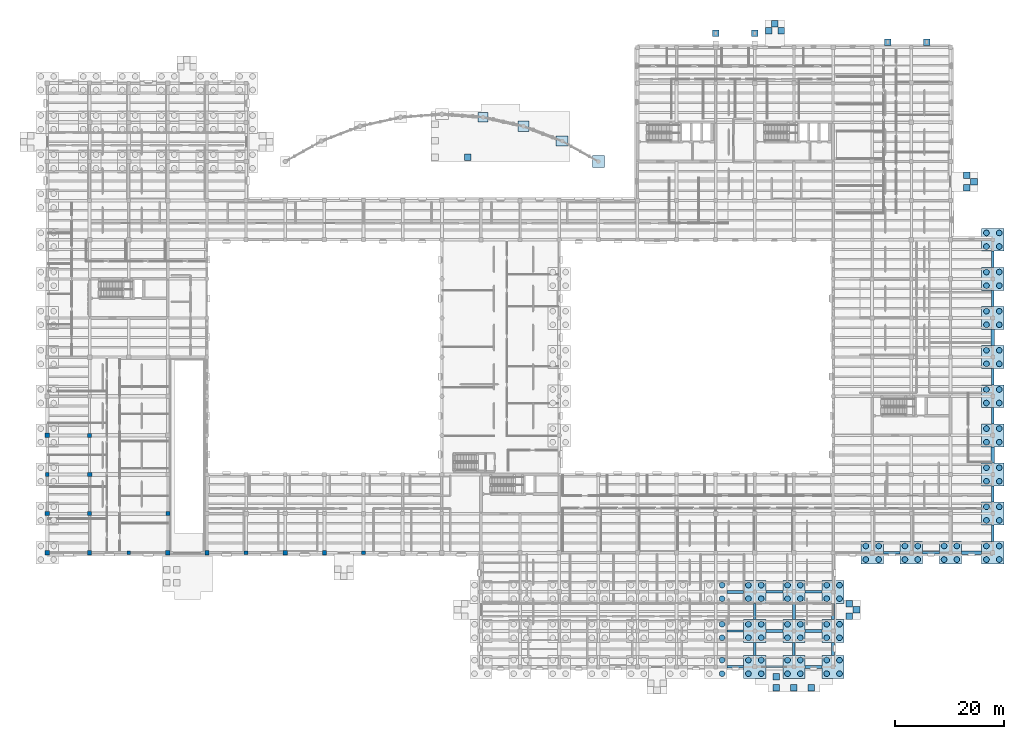
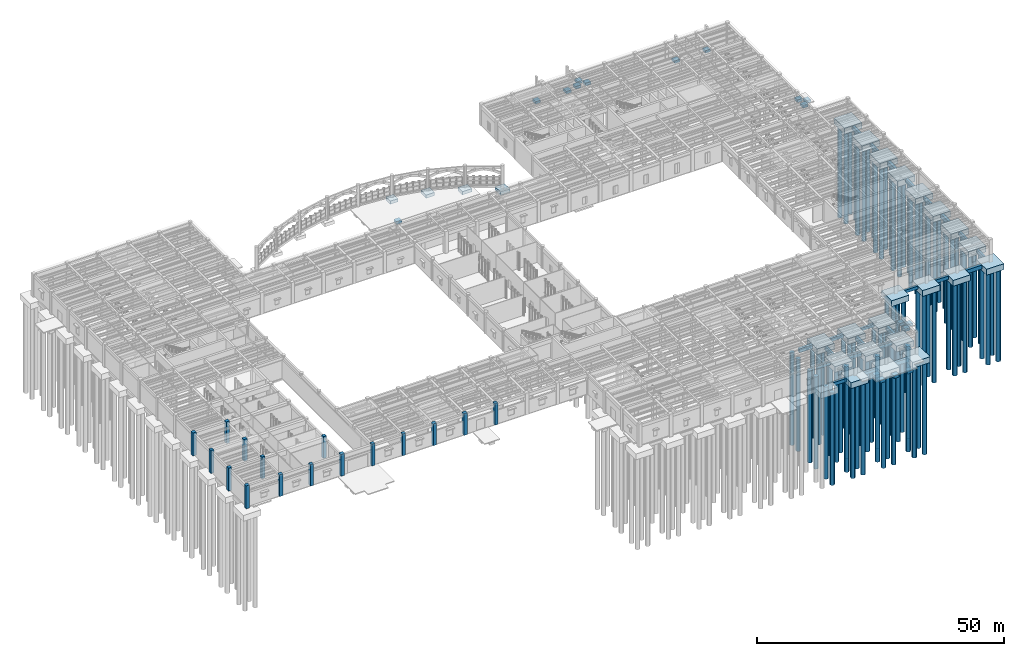
# One storey, part 3 of 100: 90 piles, 69 footings, 16 columns.
"""IFC4 building model written with IfcOpenShell, lengths in metres."""

from ifc_helpers import new_model, si_unit, direction, frame, origin, origin_2d, place, context, subcontext, project, spatial, rectangle, circle, extrude, material, material_profile, profile_set, type_object, element, save


model = new_model("IFC4")

# Units and contexts
model_context = context("Model", 3, precision=1e-05, world=origin(), true_north=direction((0.0, 1.0)))
body_context = subcontext(model_context, "Body", "Model", "MODEL_VIEW")
ifc_project = project(units=[si_unit("LENGTHUNIT", "METRE"), si_unit("AREAUNIT", "SQUARE_METRE"), si_unit("VOLUMEUNIT", "CUBIC_METRE"), si_unit("PLANEANGLEUNIT", "RADIAN"), si_unit("MASSUNIT", "GRAM", prefix="KILO")], contexts=[model_context])

# Site, building, storey
site_placement = place(None, origin())
site = spatial("IfcSite", under=ifc_project, at=site_placement, CompositionType="ELEMENT")
building_placement = place(site_placement, origin())
building = spatial("IfcBuilding", under=site, at=building_placement, Name="Mithqara Police Headquarters", CompositionType="ELEMENT")
storey_placement = place(building_placement, origin())
storey = spatial("IfcBuildingStorey", under=building, at=storey_placement, Name="L00", CompositionType="ELEMENT", Elevation=0.0)

# Footings
ifc_material_1 = material(Name="Concrete C40/50", Category="concrete")
footing_type_1 = type_object("IfcFootingType", Name="GROUND BEAM 450X750", PredefinedType="FOOTING_BEAM", material=ifc_material_1)
for number, where, z_axis, x_axis, name in (
    (1, (126.60009765625, 6.60009765625, -1.070068359375), (0.0, 0.0, 1.0), (1.0, 0.0, 0.0), "L00 Ground Tie Beam 18-19/B"),
    (2, (133.800048828125, 0.0, -1.070068359375), (0.0, 0.0, 1.0), (1.0, 0.0, 0.0), "L00 Ground Tie Beam 19-20/A"),
):
    element("IfcFooting", number, at=place(storey_placement, frame(where, z_axis=z_axis, x_axis=x_axis)), inside=storey, type_object=footing_type_1, Name=name, PredefinedType="FOOTING_BEAM", context=body_context, shape_type="SweptSolid", body=[
        extrude(rectangle(XDim=3.10009765625, YDim=0.449951171875, at=origin_2d()), origin(), (0.0, 0.0, 1.0), 0.75),
    ])
footing_1_placement = place(storey_placement, frame((130.199951171875, 10.199951171875, -1.070068359375), z_axis=(0.0, 0.0, 1.0), x_axis=(1.0, 0.0, 0.0)))
element("IfcFooting", 3, at=footing_1_placement, inside=storey, type_object=footing_type_1, Name="L00 Ground Tie Beam 19/B-C", PredefinedType="FOOTING_BEAM", context=body_context, shape_type="SweptSolid", body=[
    extrude(rectangle(XDim=0.449951171875, YDim=3.0, at=origin_2d()), origin(), (0.0, 0.0, 1.0), 0.75),
])
footing_2_placement = place(storey_placement, frame((137.39990234375, 3.300048828125, -1.070068359375), z_axis=(0.0, 0.0, 1.0), x_axis=(1.0, 0.0, 0.0)))
element("IfcFooting", 4, at=footing_2_placement, inside=storey, type_object=footing_type_1, Name="L00 Ground Tie Beam 20/A-B", PredefinedType="FOOTING_BEAM", context=body_context, shape_type="SweptSolid", body=[
    extrude(rectangle(XDim=0.449951171875, YDim=2.39990234375, at=origin_2d()), origin(), (0.0, 0.0, 1.0), 0.75),
])
for number, where, z_axis, x_axis, name in (
    (5, (141.0, 13.800048828125, -1.070068359375), (0.0, 0.0, 1.0), (1.0, 0.0, 0.0), "L00 Ground Tie Beam 20-21/C"),
    (6, (155.39990234375, 21.0, -1.070068359375), (0.0, 0.0, 1.0), (1.0, 0.0, 0.0), "L00 Ground Tie Beam 22-23/D"),
):
    element("IfcFooting", number, at=place(storey_placement, frame(where, z_axis=z_axis, x_axis=x_axis)), inside=storey, type_object=footing_type_1, Name=name, PredefinedType="FOOTING_BEAM", context=body_context, shape_type="SweptSolid", body=[
        extrude(rectangle(XDim=3.10009765625, YDim=0.449951171875, at=origin_2d()), origin(), (0.0, 0.0, 1.0), 0.75),
    ])
for number, where, z_axis, x_axis, name in (
    (7, (174.0, 24.60009765625, -1.070068359375), (0.0, 0.0, 1.0), (1.0, 0.0, 0.0), "L00 Ground Tie Beam 25/D-E"),
    (8, (174.0, 46.199951171875, -1.070068359375), (0.0, 0.0, 1.0), (1.0, 0.0, 0.0), "L00 Ground Tie Beam 25/G-H"),
    (9, (174.0, 67.800048828125, -1.070068359375), (0.0, 0.0, 1.0), (1.0, 0.0, 0.0), "L00 Ground Tie Beam 25/K-L"),
):
    element("IfcFooting", number, at=place(storey_placement, frame(where, z_axis=z_axis, x_axis=x_axis)), inside=storey, type_object=footing_type_1, Name=name, PredefinedType="FOOTING_BEAM", context=body_context, shape_type="SweptSolid", body=[
        extrude(rectangle(XDim=0.449951171875, YDim=3.0, at=origin_2d()), origin(), (0.0, 0.0, 1.0), 0.75),
    ])
footing_type_2 = type_object("IfcFootingType", Name="GROUND BEAM 500X850", PredefinedType="FOOTING_BEAM", material=ifc_material_1)
footing_3_placement = place(storey_placement, frame((126.60009765625, 0.0, -1.170166015625), z_axis=(0.0, 0.0, 1.0), x_axis=(1.0, 0.0, 0.0)))
element("IfcFooting", 10, at=footing_3_placement, inside=storey, type_object=footing_type_2, Name="L00 Ground Tie Beam 18-19/A", PredefinedType="FOOTING_BEAM", context=body_context, shape_type="SweptSolid", body=[
    extrude(rectangle(XDim=3.10009765625, YDim=0.5, at=origin_2d()), origin(), (0.0, 0.0, 1.0), 0.85009765625),
])
footing_4_placement = place(storey_placement, frame((130.199951171875, 3.300048828125, -1.170166015625), z_axis=(0.0, 0.0, 1.0), x_axis=(1.0, 0.0, 0.0)))
element("IfcFooting", 11, at=footing_4_placement, inside=storey, type_object=footing_type_2, Name="L00 Ground Tie Beam 19/A-B", PredefinedType="FOOTING_BEAM", context=body_context, shape_type="SweptSolid", body=[
    extrude(rectangle(XDim=0.5, YDim=2.39990234375, at=origin_2d()), origin(), (0.0, 0.0, 1.0), 0.85009765625),
])
for number, where, z_axis, x_axis, name in (
    (12, (133.800048828125, 13.800048828125, -1.170166015625), (0.0, 0.0, 1.0), (1.0, 0.0, 0.0), "L00 Ground Tie Beam 19-20/C"),
    (13, (141.0, 6.60009765625, -1.170166015625), (0.0, 0.0, 1.0), (1.0, 0.0, 0.0), "L00 Ground Tie Beam 20-21/B"),
):
    element("IfcFooting", number, at=place(storey_placement, frame(where, z_axis=z_axis, x_axis=x_axis)), inside=storey, type_object=footing_type_2, Name=name, PredefinedType="FOOTING_BEAM", context=body_context, shape_type="SweptSolid", body=[
        extrude(rectangle(XDim=3.10009765625, YDim=0.5, at=origin_2d()), origin(), (0.0, 0.0, 1.0), 0.85009765625),
    ])
footing_5_placement = place(storey_placement, frame((144.60009765625, 3.300048828125, -1.170166015625), z_axis=(0.0, 0.0, 1.0), x_axis=(1.0, 0.0, 0.0)))
element("IfcFooting", 14, at=footing_5_placement, inside=storey, type_object=footing_type_2, Name="L00 Ground Tie Beam 21/A-B", PredefinedType="FOOTING_BEAM", context=body_context, shape_type="SweptSolid", body=[
    extrude(rectangle(XDim=0.5, YDim=2.39990234375, at=origin_2d()), origin(), (0.0, 0.0, 1.0), 0.85009765625),
])
footing_6_placement = place(storey_placement, frame((162.60009765625, 21.0, -1.170166015625), z_axis=(0.0, 0.0, 1.0), x_axis=(1.0, 0.0, 0.0)))
element("IfcFooting", 15, at=footing_6_placement, inside=storey, type_object=footing_type_2, Name="L00 Ground Tie Beam 23-24/D", PredefinedType="FOOTING_BEAM", context=body_context, shape_type="SweptSolid", body=[
    extrude(rectangle(XDim=3.10009765625, YDim=0.5, at=origin_2d()), origin(), (0.0, 0.0, 1.0), 0.85009765625),
])
for number, where, z_axis, x_axis, name in (
    (16, (174.0, 31.800048828125, -1.170166015625), (0.0, 0.0, 1.0), (1.0, 0.0, 0.0), "L00 Ground Tie Beam 25/E-F"),
    (17, (174.0, 53.39990234375, -1.170166015625), (0.0, 0.0, 1.0), (1.0, 0.0, 0.0), "L00 Ground Tie Beam 25/H-J"),
    (18, (174.0, 75.0, -1.170166015625), (0.0, 0.0, 1.0), (1.0, 0.0, 0.0), "L00 Ground Tie Beam 25/L-M"),
):
    element("IfcFooting", number, at=place(storey_placement, frame(where, z_axis=z_axis, x_axis=x_axis)), inside=storey, type_object=footing_type_2, Name=name, PredefinedType="FOOTING_BEAM", context=body_context, shape_type="SweptSolid", body=[
        extrude(rectangle(XDim=0.5, YDim=3.0, at=origin_2d()), origin(), (0.0, 0.0, 1.0), 0.85009765625),
    ])
footing_type_3 = type_object("IfcFootingType", Name="GROUND BEAM 600X950", PredefinedType="FOOTING_BEAM", material=ifc_material_1)
for number, where, z_axis, x_axis, name in (
    (19, (126.60009765625, 13.800048828125, -1.27001953125), (0.0, 0.0, 1.0), (1.0, 0.0, 0.0), "L00 Ground Tie Beam 18-19/C"),
    (20, (133.800048828125, 6.60009765625, -1.27001953125), (0.0, 0.0, 1.0), (1.0, 0.0, 0.0), "L00 Ground Tie Beam 19-20/B"),
    (21, (141.0, 0.0, -1.27001953125), (0.0, 0.0, 1.0), (1.0, 0.0, 0.0), "L00 Ground Tie Beam 20-21/A"),
):
    element("IfcFooting", number, at=place(storey_placement, frame(where, z_axis=z_axis, x_axis=x_axis)), inside=storey, type_object=footing_type_3, Name=name, PredefinedType="FOOTING_BEAM", context=body_context, shape_type="SweptSolid", body=[
        extrude(rectangle(XDim=3.10009765625, YDim=0.60009765625, at=origin_2d()), origin(), (0.0, 0.0, 1.0), 0.949951171875),
    ])
for number, where, z_axis, x_axis, name in (
    (22, (137.39990234375, 10.199951171875, -1.27001953125), (0.0, 0.0, 1.0), (1.0, 0.0, 0.0), "L00 Ground Tie Beam 20/B-C"),
    (23, (144.60009765625, 10.199951171875, -1.27001953125), (0.0, 0.0, 1.0), (1.0, 0.0, 0.0), "L00 Ground Tie Beam 21/B-C"),
):
    element("IfcFooting", number, at=place(storey_placement, frame(where, z_axis=z_axis, x_axis=x_axis)), inside=storey, type_object=footing_type_3, Name=name, PredefinedType="FOOTING_BEAM", context=body_context, shape_type="SweptSolid", body=[
        extrude(rectangle(XDim=0.60009765625, YDim=3.0, at=origin_2d()), origin(), (0.0, 0.0, 1.0), 0.949951171875),
    ])
footing_7_placement = place(storey_placement, frame((170.10009765625, 21.0, -1.27001953125), z_axis=(0.0, 0.0, 1.0), x_axis=(1.0, 0.0, 0.0)))
element("IfcFooting", 24, at=footing_7_placement, inside=storey, type_object=footing_type_3, Name="L00 Ground Tie Beam 24-25/D", PredefinedType="FOOTING_BEAM", context=body_context, shape_type="SweptSolid", body=[
    extrude(rectangle(XDim=3.699951171875, YDim=0.60009765625, at=origin_2d()), origin(), (0.0, 0.0, 1.0), 0.949951171875),
])
for number, where, z_axis, x_axis, name in (
    (25, (174.0, 39.0, -1.27001953125), (0.0, 0.0, 1.0), (1.0, 0.0, 0.0), "L00 Ground Tie Beam 25/F-G"),
    (26, (174.0, 60.60009765625, -1.27001953125), (0.0, 0.0, 1.0), (1.0, 0.0, 0.0), "L00 Ground Tie Beam 25/J-K"),
):
    element("IfcFooting", number, at=place(storey_placement, frame(where, z_axis=z_axis, x_axis=x_axis)), inside=storey, type_object=footing_type_3, Name=name, PredefinedType="FOOTING_BEAM", context=body_context, shape_type="SweptSolid", body=[
        extrude(rectangle(XDim=0.60009765625, YDim=3.0, at=origin_2d()), origin(), (0.0, 0.0, 1.0), 0.949951171875),
    ])
footing_type_4 = type_object("IfcFootingType", Name="PAD FOOTING 1200X1200X650", PredefinedType="PAD_FOOTING", material=ifc_material_1)
for number, where, z_axis, x_axis, name in (
    (27, (154.64990234375, 114.949951171875, -0.969970703125), (0.0, 0.0, 1.0), (1.0, 0.0, 0.0), "North Pilaster Footing 1"),
    (28, (161.85009765625, 114.949951171875, -0.969970703125), (0.0, 0.0, 1.0), (1.0, 0.0, 0.0), "North Pilaster Footing 2"),
    (29, (77.375, 93.75, -0.909912109375), (0.0, 0.0, 1.0), (1.0, 0.0, 0.0), "Public Entrance Portal Forecourt Apron Support Pad 4"),
    (30, (134.175048828125, -3.85009765625, -0.909912109375), (0.0, 0.0, 1.0), (1.0, 0.0, 0.0), "Custody Sally-Port Street Apron Support Pad 1"),
    (31, (134.175048828125, -1.783203125, -0.909912109375), (0.0, 0.0, 1.0), (1.0, 0.0, 0.0), "Custody Sally-Port Street Apron Support Pad 2"),
    (32, (137.39990234375, -3.85009765625, -0.909912109375), (0.0, 0.0, 1.0), (1.0, 0.0, 0.0), "Custody Sally-Port Street Apron Support Pad 3"),
    (33, (140.625, -3.85009765625, -0.909912109375), (0.0, 0.0, 1.0), (1.0, 0.0, 0.0), "Custody Sally-Port Street Apron Support Pad 4"),
    (34, (123.0, 116.60009765625, -0.969970703125), (0.0, 0.0, 1.0), (1.0, 0.0, 0.0), "Entrance Portal Pylon Footing W"),
    (35, (130.199951171875, 116.60009765625, -0.969970703125), (0.0, 0.0, 1.0), (1.0, 0.0, 0.0), "Entrance Portal Pylon Footing E"),
    (36, (147.610107421875, 9.35009765625, -0.909912109375), (0.0, 0.0, 1.0), (1.0, 0.0, 0.0), "Ground Exit Threshold Footing 3-1"),
    (37, (147.610107421875, 11.64990234375, -0.909912109375), (0.0, 0.0, 1.0), (1.0, 0.0, 0.0), "Ground Exit Threshold Footing 3-2"),
    (38, (148.909912109375, 10.5, -0.909912109375), (0.0, 0.0, 1.0), (1.0, 0.0, 0.0), "Ground Exit Threshold Footing 3-3"),
    (39, (169.22998046875, 88.14208984375, -0.909912109375), (0.0, 0.0, 1.0), (1.0, 0.0, 0.0), "Ground Exit Threshold Footing 4-1"),
    (40, (169.22998046875, 90.44189453125, -0.909912109375), (0.0, 0.0, 1.0), (1.0, 0.0, 0.0), "Ground Exit Threshold Footing 4-2"),
    (41, (170.530029296875, 89.2919921875, -0.909912109375), (0.0, 0.0, 1.0), (1.0, 0.0, 0.0), "Ground Exit Threshold Footing 4-3"),
    (42, (135.02197265625, 117.030029296875, -0.909912109375), (0.0, 0.0, 1.0), (1.0, 0.0, 0.0), "Ground Exit Threshold Footing 5-1"),
    (43, (132.721923828125, 117.030029296875, -0.909912109375), (0.0, 0.0, 1.0), (1.0, 0.0, 0.0), "Ground Exit Threshold Footing 5-2"),
    (44, (133.8720703125, 118.330078125, -0.909912109375), (0.0, 0.0, 1.0), (1.0, 0.0, 0.0), "Ground Exit Threshold Footing 5-3"),
):
    element("IfcFooting", number, at=place(storey_placement, frame(where, z_axis=z_axis, x_axis=x_axis)), inside=storey, type_object=footing_type_4, Name=name, PredefinedType="PAD_FOOTING", context=body_context, shape_type="SweptSolid", body=[
        extrude(rectangle(XDim=1.199951171875, YDim=1.199951171875, at=origin_2d()), origin(), (0.0, 0.0, 1.0), 0.64990234375),
    ])
footing_type_5 = type_object("IfcFootingType", Name="PAD FOOTING 1800X1800X750", PredefinedType="PAD_FOOTING", material=ifc_material_1)
footing_8_placement = place(storey_placement, frame((80.203369140625, 101.14501953125, -1.070068359375), z_axis=(0.0, 0.0, 1.0), x_axis=(1.0, 0.0, 0.0)))
element("IfcFooting", 45, at=footing_8_placement, inside=storey, type_object=footing_type_5, Name="Forecourt Arcade Footing 6", PredefinedType="PAD_FOOTING", context=body_context, shape_type="SweptSolid", body=[
    extrude(rectangle(XDim=1.800048828125, YDim=1.800048828125, at=origin_2d()), origin(), (0.0, 0.0, 1.0), 0.75),
])
footing_type_6 = type_object("IfcFootingType", Name="PAD FOOTING 2000X2000X800", PredefinedType="PAD_FOOTING", material=ifc_material_1)
footing_9_placement = place(storey_placement, frame((87.643310546875, 99.480224609375, -1.1201171875), z_axis=(0.0, 0.0, 1.0), x_axis=(1.0, 0.0, 0.0)))
element("IfcFooting", 46, at=footing_9_placement, inside=storey, type_object=footing_type_6, Name="Forecourt Arcade Footing 7", PredefinedType="PAD_FOOTING", context=body_context, shape_type="SweptSolid", body=[
    extrude(rectangle(XDim=2.0, YDim=2.0, at=origin_2d()), origin(), (0.0, 0.0, 1.0), 0.800048828125),
])
footing_type_7 = type_object("IfcFootingType", Name="PAD FOOTING 2200X1800X800", PredefinedType="PAD_FOOTING", material=ifc_material_1)
footing_10_placement = place(storey_placement, frame((94.759765625, 96.74560546875, -1.1201171875), z_axis=(0.0, 0.0, 1.0), x_axis=(1.0, 0.0, 0.0)))
element("IfcFooting", 47, at=footing_10_placement, inside=storey, type_object=footing_type_7, Name="Forecourt Arcade Footing 8", PredefinedType="PAD_FOOTING", context=body_context, shape_type="SweptSolid", body=[
    extrude(rectangle(XDim=2.199951171875, YDim=1.800048828125, at=origin_2d()), origin(), (0.0, 0.0, 1.0), 0.800048828125),
])
footing_type_8 = type_object("IfcFootingType", Name="PAD FOOTING 2200X2200X850", PredefinedType="PAD_FOOTING", material=ifc_material_1)
footing_11_placement = place(storey_placement, frame((101.39990234375, 93.0, -1.170166015625), z_axis=(0.0, 0.0, 1.0), x_axis=(1.0, 0.0, 0.0)))
element("IfcFooting", 48, at=footing_11_placement, inside=storey, type_object=footing_type_8, Name="Forecourt Arcade Footing 9", PredefinedType="PAD_FOOTING", context=body_context, shape_type="SweptSolid", body=[
    extrude(rectangle(XDim=2.199951171875, YDim=2.199951171875, at=origin_2d()), origin(), (0.0, 0.0, 1.0), 0.85009765625),
])
footing_type_9 = type_object("IfcFootingType", Name="PILE CAP 4P 3800X4200X1450", PredefinedType="PILE_CAP", material=ifc_material_1)
for number, where, z_axis, x_axis, name in (
    (49, (130.199951171875, 0.0, -1.77001953125), (0.0, 0.0, 1.0), (1.0, 0.0, 0.0), "L00 Pile Cap 19/A"),
    (50, (130.199951171875, 6.60009765625, -1.77001953125), (0.0, 0.0, 1.0), (1.0, 0.0, 0.0), "L00 Pile Cap 19/B"),
    (51, (130.199951171875, 13.800048828125, -1.77001953125), (0.0, 0.0, 1.0), (1.0, 0.0, 0.0), "L00 Pile Cap 19/C"),
    (52, (137.39990234375, 0.0, -1.77001953125), (0.0, 0.0, 1.0), (1.0, 0.0, 0.0), "L00 Pile Cap 20/A"),
    (53, (137.39990234375, 6.60009765625, -1.77001953125), (0.0, 0.0, 1.0), (1.0, 0.0, 0.0), "L00 Pile Cap 20/B"),
    (54, (137.39990234375, 13.800048828125, -1.77001953125), (0.0, 0.0, 1.0), (1.0, 0.0, 0.0), "L00 Pile Cap 20/C"),
    (55, (144.60009765625, 0.0, -1.77001953125), (0.0, 0.0, 1.0), (1.0, 0.0, 0.0), "L00 Pile Cap 21/A"),
    (56, (144.60009765625, 6.60009765625, -1.77001953125), (0.0, 0.0, 1.0), (1.0, 0.0, 0.0), "L00 Pile Cap 21/B"),
    (57, (144.60009765625, 13.800048828125, -1.77001953125), (0.0, 0.0, 1.0), (1.0, 0.0, 0.0), "L00 Pile Cap 21/C"),
    (58, (151.800048828125, 21.0, -1.77001953125), (0.0, 0.0, 1.0), (1.0, 0.0, 0.0), "L00 Pile Cap 22/D"),
    (59, (159.0, 21.0, -1.77001953125), (0.0, 0.0, 1.0), (1.0, 0.0, 0.0), "L00 Pile Cap 23/D"),
    (60, (166.199951171875, 21.0, -1.77001953125), (0.0, 0.0, 1.0), (1.0, 0.0, 0.0), "L00 Pile Cap 24/D"),
    (61, (174.0, 21.0, -1.77001953125), (0.0, 0.0, 1.0), (1.0, 0.0, 0.0), "L00 Pile Cap 25/D"),
    (62, (174.0, 28.199951171875, -1.77001953125), (0.0, 0.0, 1.0), (1.0, 0.0, 0.0), "L00 Pile Cap 25/E"),
    (63, (174.0, 35.39990234375, -1.77001953125), (0.0, 0.0, 1.0), (1.0, 0.0, 0.0), "L00 Pile Cap 25/F"),
    (64, (174.0, 42.60009765625, -1.77001953125), (0.0, 0.0, 1.0), (1.0, 0.0, 0.0), "L00 Pile Cap 25/G"),
    (65, (174.0, 49.800048828125, -1.77001953125), (0.0, 0.0, 1.0), (1.0, 0.0, 0.0), "L00 Pile Cap 25/H"),
    (66, (174.0, 57.0, -1.77001953125), (0.0, 0.0, 1.0), (1.0, 0.0, 0.0), "L00 Pile Cap 25/J"),
    (67, (174.0, 64.199951171875, -1.77001953125), (0.0, 0.0, 1.0), (1.0, 0.0, 0.0), "L00 Pile Cap 25/K"),
    (68, (174.0, 71.39990234375, -1.77001953125), (0.0, 0.0, 1.0), (1.0, 0.0, 0.0), "L00 Pile Cap 25/L"),
    (69, (174.0, 78.60009765625, -1.77001953125), (0.0, 0.0, 1.0), (1.0, 0.0, 0.0), "L00 Pile Cap 25/M"),
):
    element("IfcFooting", number, at=place(storey_placement, frame(where, z_axis=z_axis, x_axis=x_axis)), inside=storey, type_object=footing_type_9, Name=name, PredefinedType="PILE_CAP", context=body_context, shape_type="SweptSolid", body=[
        extrude(rectangle(XDim=4.10009765625, YDim=4.199951171875, at=origin_2d()), origin(), (0.0, 0.0, 1.0), 1.449951171875),
    ])

# Piles
ifc_material_profile_1 = material_profile(ifc_material_1, circle(Radius=0.52490234375, at=origin_2d()), Name="PILE D1050")
ifc_profile_set_1 = profile_set([ifc_material_profile_1], Name="Concrete C40/50")
pile_type = type_object("IfcPileType", Name="PILE D1050 22M", PredefinedType="BORED", material=ifc_profile_set_1)
for number, where, z_axis, x_axis, name in (
    (70, (124.179931640625, -1.25, -1.6201171875), (0.0, 0.0, -1.0), (1.0, 0.0, 0.0), "Bored Pile 18/A-2"),
    (71, (124.179931640625, 1.25, -1.6201171875), (0.0, 0.0, -1.0), (1.0, 0.0, 0.0), "Bored Pile 18/A-4"),
    (72, (124.179931640625, 5.35009765625, -1.6201171875), (0.0, 0.0, -1.0), (1.0, 0.0, 0.0), "Bored Pile 18/B-2"),
    (73, (124.179931640625, 7.85009765625, -1.6201171875), (0.0, 0.0, -1.0), (1.0, 0.0, 0.0), "Bored Pile 18/B-4"),
    (74, (124.179931640625, 12.550048828125, -1.6201171875), (0.0, 0.0, -1.0), (1.0, 0.0, 0.0), "Bored Pile 18/C-2"),
    (75, (124.179931640625, 15.050048828125, -1.6201171875), (0.0, 0.0, -1.0), (1.0, 0.0, 0.0), "Bored Pile 18/C-4"),
    (76, (129.02001953125, -1.25, -1.6201171875), (0.0, 0.0, -1.0), (1.0, 0.0, 0.0), "Bored Pile 19/A-1"),
    (77, (131.3798828125, -1.25, -1.6201171875), (0.0, 0.0, -1.0), (1.0, 0.0, 0.0), "Bored Pile 19/A-2"),
    (78, (129.02001953125, 1.25, -1.6201171875), (0.0, 0.0, -1.0), (1.0, 0.0, 0.0), "Bored Pile 19/A-3"),
    (79, (131.3798828125, 1.25, -1.6201171875), (0.0, 0.0, -1.0), (1.0, 0.0, 0.0), "Bored Pile 19/A-4"),
    (80, (129.02001953125, 5.35009765625, -1.6201171875), (0.0, 0.0, -1.0), (1.0, 0.0, 0.0), "Bored Pile 19/B-1"),
    (81, (131.3798828125, 5.35009765625, -1.6201171875), (0.0, 0.0, -1.0), (1.0, 0.0, 0.0), "Bored Pile 19/B-2"),
    (82, (129.02001953125, 7.85009765625, -1.6201171875), (0.0, 0.0, -1.0), (1.0, 0.0, 0.0), "Bored Pile 19/B-3"),
    (83, (131.3798828125, 7.85009765625, -1.6201171875), (0.0, 0.0, -1.0), (1.0, 0.0, 0.0), "Bored Pile 19/B-4"),
    (84, (129.02001953125, 12.550048828125, -1.6201171875), (0.0, 0.0, -1.0), (1.0, 0.0, 0.0), "Bored Pile 19/C-1"),
    (85, (131.3798828125, 12.550048828125, -1.6201171875), (0.0, 0.0, -1.0), (1.0, 0.0, 0.0), "Bored Pile 19/C-2"),
    (86, (129.02001953125, 15.050048828125, -1.6201171875), (0.0, 0.0, -1.0), (1.0, 0.0, 0.0), "Bored Pile 19/C-3"),
    (87, (131.3798828125, 15.050048828125, -1.6201171875), (0.0, 0.0, -1.0), (1.0, 0.0, 0.0), "Bored Pile 19/C-4"),
    (88, (136.219970703125, -1.25, -1.6201171875), (0.0, 0.0, -1.0), (1.0, 0.0, 0.0), "Bored Pile 20/A-1"),
    (89, (138.580078125, -1.25, -1.6201171875), (0.0, 0.0, -1.0), (1.0, 0.0, 0.0), "Bored Pile 20/A-2"),
    (90, (136.219970703125, 1.25, -1.6201171875), (0.0, 0.0, -1.0), (1.0, 0.0, 0.0), "Bored Pile 20/A-3"),
    (91, (138.580078125, 1.25, -1.6201171875), (0.0, 0.0, -1.0), (1.0, 0.0, 0.0), "Bored Pile 20/A-4"),
    (92, (136.219970703125, 5.35009765625, -1.6201171875), (0.0, 0.0, -1.0), (1.0, 0.0, 0.0), "Bored Pile 20/B-1"),
    (93, (138.580078125, 5.35009765625, -1.6201171875), (0.0, 0.0, -1.0), (1.0, 0.0, 0.0), "Bored Pile 20/B-2"),
    (94, (136.219970703125, 7.85009765625, -1.6201171875), (0.0, 0.0, -1.0), (1.0, 0.0, 0.0), "Bored Pile 20/B-3"),
    (95, (138.580078125, 7.85009765625, -1.6201171875), (0.0, 0.0, -1.0), (1.0, 0.0, 0.0), "Bored Pile 20/B-4"),
    (96, (136.219970703125, 12.550048828125, -1.6201171875), (0.0, 0.0, -1.0), (1.0, 0.0, 0.0), "Bored Pile 20/C-1"),
    (97, (138.580078125, 12.550048828125, -1.6201171875), (0.0, 0.0, -1.0), (1.0, 0.0, 0.0), "Bored Pile 20/C-2"),
    (98, (136.219970703125, 15.050048828125, -1.6201171875), (0.0, 0.0, -1.0), (1.0, 0.0, 0.0), "Bored Pile 20/C-3"),
    (99, (138.580078125, 15.050048828125, -1.6201171875), (0.0, 0.0, -1.0), (1.0, 0.0, 0.0), "Bored Pile 20/C-4"),
    (100, (143.419921875, -1.25, -1.6201171875), (0.0, 0.0, -1.0), (1.0, 0.0, 0.0), "Bored Pile 21/A-1"),
    (101, (145.780029296875, -1.25, -1.6201171875), (0.0, 0.0, -1.0), (1.0, 0.0, 0.0), "Bored Pile 21/A-2"),
    (102, (143.419921875, 1.25, -1.6201171875), (0.0, 0.0, -1.0), (1.0, 0.0, 0.0), "Bored Pile 21/A-3"),
    (103, (145.780029296875, 1.25, -1.6201171875), (0.0, 0.0, -1.0), (1.0, 0.0, 0.0), "Bored Pile 21/A-4"),
    (104, (143.419921875, 5.35009765625, -1.6201171875), (0.0, 0.0, -1.0), (1.0, 0.0, 0.0), "Bored Pile 21/B-1"),
    (105, (145.780029296875, 5.35009765625, -1.6201171875), (0.0, 0.0, -1.0), (1.0, 0.0, 0.0), "Bored Pile 21/B-2"),
    (106, (143.419921875, 7.85009765625, -1.6201171875), (0.0, 0.0, -1.0), (1.0, 0.0, 0.0), "Bored Pile 21/B-3"),
    (107, (145.780029296875, 7.85009765625, -1.6201171875), (0.0, 0.0, -1.0), (1.0, 0.0, 0.0), "Bored Pile 21/B-4"),
    (108, (143.419921875, 12.550048828125, -1.6201171875), (0.0, 0.0, -1.0), (1.0, 0.0, 0.0), "Bored Pile 21/C-1"),
    (109, (145.780029296875, 12.550048828125, -1.6201171875), (0.0, 0.0, -1.0), (1.0, 0.0, 0.0), "Bored Pile 21/C-2"),
    (110, (143.419921875, 15.050048828125, -1.6201171875), (0.0, 0.0, -1.0), (1.0, 0.0, 0.0), "Bored Pile 21/C-3"),
    (111, (145.780029296875, 15.050048828125, -1.6201171875), (0.0, 0.0, -1.0), (1.0, 0.0, 0.0), "Bored Pile 21/C-4"),
    (112, (150.6201171875, 19.75, -1.6201171875), (0.0, 0.0, -1.0), (1.0, 0.0, 0.0), "Bored Pile 22/D-1"),
    (113, (152.97998046875, 19.75, -1.6201171875), (0.0, 0.0, -1.0), (1.0, 0.0, 0.0), "Bored Pile 22/D-2"),
    (114, (150.6201171875, 22.25, -1.6201171875), (0.0, 0.0, -1.0), (1.0, 0.0, 0.0), "Bored Pile 22/D-3"),
    (115, (152.97998046875, 22.25, -1.6201171875), (0.0, 0.0, -1.0), (1.0, 0.0, 0.0), "Bored Pile 22/D-4"),
    (116, (157.820068359375, 19.75, -1.6201171875), (0.0, 0.0, -1.0), (1.0, 0.0, 0.0), "Bored Pile 23/D-1"),
    (117, (160.179931640625, 19.75, -1.6201171875), (0.0, 0.0, -1.0), (1.0, 0.0, 0.0), "Bored Pile 23/D-2"),
    (118, (157.820068359375, 22.25, -1.6201171875), (0.0, 0.0, -1.0), (1.0, 0.0, 0.0), "Bored Pile 23/D-3"),
    (119, (160.179931640625, 22.25, -1.6201171875), (0.0, 0.0, -1.0), (1.0, 0.0, 0.0), "Bored Pile 23/D-4"),
    (120, (165.02001953125, 19.75, -1.6201171875), (0.0, 0.0, -1.0), (1.0, 0.0, 0.0), "Bored Pile 24/D-1"),
    (121, (167.3798828125, 19.75, -1.6201171875), (0.0, 0.0, -1.0), (1.0, 0.0, 0.0), "Bored Pile 24/D-2"),
    (122, (165.02001953125, 22.25, -1.6201171875), (0.0, 0.0, -1.0), (1.0, 0.0, 0.0), "Bored Pile 24/D-3"),
    (123, (167.3798828125, 22.25, -1.6201171875), (0.0, 0.0, -1.0), (1.0, 0.0, 0.0), "Bored Pile 24/D-4"),
    (124, (172.820068359375, 19.75, -1.6201171875), (0.0, 0.0, -1.0), (1.0, 0.0, 0.0), "Bored Pile 25/D-1"),
    (125, (175.179931640625, 19.75, -1.6201171875), (0.0, 0.0, -1.0), (1.0, 0.0, 0.0), "Bored Pile 25/D-2"),
    (126, (172.820068359375, 22.25, -1.6201171875), (0.0, 0.0, -1.0), (1.0, 0.0, 0.0), "Bored Pile 25/D-3"),
    (127, (175.179931640625, 22.25, -1.6201171875), (0.0, 0.0, -1.0), (1.0, 0.0, 0.0), "Bored Pile 25/D-4"),
    (128, (172.820068359375, 26.949951171875, -1.6201171875), (0.0, 0.0, -1.0), (1.0, 0.0, 0.0), "Bored Pile 25/E-1"),
    (129, (175.179931640625, 26.949951171875, -1.6201171875), (0.0, 0.0, -1.0), (1.0, 0.0, 0.0), "Bored Pile 25/E-2"),
    (130, (172.820068359375, 29.449951171875, -1.6201171875), (0.0, 0.0, -1.0), (1.0, 0.0, 0.0), "Bored Pile 25/E-3"),
    (131, (175.179931640625, 29.449951171875, -1.6201171875), (0.0, 0.0, -1.0), (1.0, 0.0, 0.0), "Bored Pile 25/E-4"),
    (132, (172.820068359375, 34.14990234375, -1.6201171875), (0.0, 0.0, -1.0), (1.0, 0.0, 0.0), "Bored Pile 25/F-1"),
    (133, (175.179931640625, 34.14990234375, -1.6201171875), (0.0, 0.0, -1.0), (1.0, 0.0, 0.0), "Bored Pile 25/F-2"),
    (134, (172.820068359375, 36.64990234375, -1.6201171875), (0.0, 0.0, -1.0), (1.0, 0.0, 0.0), "Bored Pile 25/F-3"),
    (135, (175.179931640625, 36.64990234375, -1.6201171875), (0.0, 0.0, -1.0), (1.0, 0.0, 0.0), "Bored Pile 25/F-4"),
    (136, (172.820068359375, 41.35009765625, -1.6201171875), (0.0, 0.0, -1.0), (1.0, 0.0, 0.0), "Bored Pile 25/G-1"),
    (137, (175.179931640625, 41.35009765625, -1.6201171875), (0.0, 0.0, -1.0), (1.0, 0.0, 0.0), "Bored Pile 25/G-2"),
    (138, (172.820068359375, 43.85009765625, -1.6201171875), (0.0, 0.0, -1.0), (1.0, 0.0, 0.0), "Bored Pile 25/G-3"),
    (139, (175.179931640625, 43.85009765625, -1.6201171875), (0.0, 0.0, -1.0), (1.0, 0.0, 0.0), "Bored Pile 25/G-4"),
    (140, (172.820068359375, 48.550048828125, -1.6201171875), (0.0, 0.0, -1.0), (1.0, 0.0, 0.0), "Bored Pile 25/H-1"),
    (141, (175.179931640625, 48.550048828125, -1.6201171875), (0.0, 0.0, -1.0), (1.0, 0.0, 0.0), "Bored Pile 25/H-2"),
    (142, (172.820068359375, 51.050048828125, -1.6201171875), (0.0, 0.0, -1.0), (1.0, 0.0, 0.0), "Bored Pile 25/H-3"),
    (143, (175.179931640625, 51.050048828125, -1.6201171875), (0.0, 0.0, -1.0), (1.0, 0.0, 0.0), "Bored Pile 25/H-4"),
    (144, (172.820068359375, 55.75, -1.6201171875), (0.0, 0.0, -1.0), (1.0, 0.0, 0.0), "Bored Pile 25/J-1"),
    (145, (175.179931640625, 55.75, -1.6201171875), (0.0, 0.0, -1.0), (1.0, 0.0, 0.0), "Bored Pile 25/J-2"),
    (146, (172.820068359375, 58.25, -1.6201171875), (0.0, 0.0, -1.0), (1.0, 0.0, 0.0), "Bored Pile 25/J-3"),
    (147, (175.179931640625, 58.25, -1.6201171875), (0.0, 0.0, -1.0), (1.0, 0.0, 0.0), "Bored Pile 25/J-4"),
    (148, (172.820068359375, 62.949951171875, -1.6201171875), (0.0, 0.0, -1.0), (1.0, 0.0, 0.0), "Bored Pile 25/K-1"),
    (149, (175.179931640625, 62.949951171875, -1.6201171875), (0.0, 0.0, -1.0), (1.0, 0.0, 0.0), "Bored Pile 25/K-2"),
    (150, (172.820068359375, 65.449951171875, -1.6201171875), (0.0, 0.0, -1.0), (1.0, 0.0, 0.0), "Bored Pile 25/K-3"),
    (151, (175.179931640625, 65.449951171875, -1.6201171875), (0.0, 0.0, -1.0), (1.0, 0.0, 0.0), "Bored Pile 25/K-4"),
    (152, (172.820068359375, 70.14990234375, -1.6201171875), (0.0, 0.0, -1.0), (1.0, 0.0, 0.0), "Bored Pile 25/L-1"),
    (153, (175.179931640625, 70.14990234375, -1.6201171875), (0.0, 0.0, -1.0), (1.0, 0.0, 0.0), "Bored Pile 25/L-2"),
    (154, (172.820068359375, 72.64990234375, -1.6201171875), (0.0, 0.0, -1.0), (1.0, 0.0, 0.0), "Bored Pile 25/L-3"),
    (155, (175.179931640625, 72.64990234375, -1.6201171875), (0.0, 0.0, -1.0), (1.0, 0.0, 0.0), "Bored Pile 25/L-4"),
    (156, (172.820068359375, 77.35009765625, -1.6201171875), (0.0, 0.0, -1.0), (1.0, 0.0, 0.0), "Bored Pile 25/M-1"),
    (157, (175.179931640625, 77.35009765625, -1.6201171875), (0.0, 0.0, -1.0), (1.0, 0.0, 0.0), "Bored Pile 25/M-2"),
    (158, (172.820068359375, 79.85009765625, -1.6201171875), (0.0, 0.0, -1.0), (1.0, 0.0, 0.0), "Bored Pile 25/M-3"),
    (159, (175.179931640625, 79.85009765625, -1.6201171875), (0.0, 0.0, -1.0), (1.0, 0.0, 0.0), "Bored Pile 25/M-4"),
):
    element("IfcPile", number, at=place(storey_placement, frame(where, z_axis=z_axis, x_axis=x_axis)), inside=storey, type_object=pile_type, Name=name, PredefinedType="BORED", context=body_context, shape_type="SweptSolid", body=[
        extrude(circle(Radius=0.52490234375, at=origin_2d()), origin(), (0.0, 0.0, 1.0), 22.85009765625),
    ])

# Columns
ifc_material_2 = material(Name="Concrete C50/60", Category="concrete")
ifc_material_profile_2 = material_profile(ifc_material_2, rectangle(XDim=0.699951171875, YDim=0.699951171875, at=origin_2d()), Name="RC 700x700")
ifc_profile_set_2 = profile_set([ifc_material_profile_2], Name="Concrete C50/60")
column_type_1 = type_object("IfcColumnType", Name="COLUMN RC700", PredefinedType="COLUMN", material=ifc_profile_set_2)
column_1_placement = place(storey_placement, frame((0.0, 35.39990234375, -0.320068359375), z_axis=(0.0, 0.0, 1.0), x_axis=(1.0, 0.0, 0.0)))
element("IfcColumn", 160, at=column_1_placement, inside=storey, type_object=column_type_1, Name="L00 Column 1/F", PredefinedType="COLUMN", context=body_context, shape_type="SweptSolid", body=[
    extrude(rectangle(XDim=0.699951171875, YDim=0.699951171875, at=origin_2d()), origin(), (0.0, 0.0, 1.0), 5.719970703125),
])
for number, where, z_axis, x_axis, name in (
    (161, (7.800048828125, 28.199951171875, 0.0), (0.0, 0.0, 1.0), (1.0, 0.0, 0.0), "L00 Column 2/E"),
    (162, (15.0, 21.0, 0.0), (0.0, 0.0, 1.0), (1.0, 0.0, 0.0), "L00 Column 3/D"),
    (163, (36.60009765625, 21.0, 0.0), (0.0, 0.0, 1.0), (1.0, 0.0, 0.0), "L00 Column 6/D"),
    (164, (58.199951171875, 21.0, 0.0), (0.0, 0.0, 1.0), (1.0, 0.0, 0.0), "L00 Column 9/D"),
):
    element("IfcColumn", number, at=place(storey_placement, frame(where, z_axis=z_axis, x_axis=x_axis)), inside=storey, type_object=column_type_1, Name=name, PredefinedType="COLUMN", context=body_context, shape_type="SweptSolid", body=[
        extrude(rectangle(XDim=0.699951171875, YDim=0.699951171875, at=origin_2d()), origin(), (0.0, 0.0, 1.0), 5.39990234375),
    ])
ifc_material_profile_3 = material_profile(ifc_material_2, rectangle(XDim=0.75, YDim=0.75, at=origin_2d()), Name="RC 750x750")
ifc_profile_set_3 = profile_set([ifc_material_profile_3], Name="Concrete C50/60")
column_type_2 = type_object("IfcColumnType", Name="COLUMN RC750", PredefinedType="COLUMN", material=ifc_profile_set_3)
column_2_placement = place(storey_placement, frame((0.0, 28.199951171875, -0.320068359375), z_axis=(0.0, 0.0, 1.0), x_axis=(1.0, 0.0, 0.0)))
element("IfcColumn", 165, at=column_2_placement, inside=storey, type_object=column_type_2, Name="L00 Column 1/E", PredefinedType="COLUMN", context=body_context, shape_type="SweptSolid", body=[
    extrude(rectangle(XDim=0.75, YDim=0.75, at=origin_2d()), origin(), (0.0, 0.0, 1.0), 5.719970703125),
])
for number, where, z_axis, x_axis, name in (
    (166, (7.800048828125, 21.0, 0.0), (0.0, 0.0, 1.0), (1.0, 0.0, 0.0), "L00 Column 2/D"),
    (167, (7.800048828125, 42.60009765625, 0.0), (0.0, 0.0, 1.0), (1.0, 0.0, 0.0), "L00 Column 2/G"),
    (168, (22.199951171875, 28.199951171875, 0.0), (0.0, 0.0, 1.0), (1.0, 0.0, 0.0), "L00 Column 4/E"),
    (169, (29.39990234375, 21.0, 0.0), (0.0, 0.0, 1.0), (1.0, 0.0, 0.0), "L00 Column 5/D"),
    (170, (51.0, 21.0, 0.0), (0.0, 0.0, 1.0), (1.0, 0.0, 0.0), "L00 Column 8/D"),
):
    element("IfcColumn", number, at=place(storey_placement, frame(where, z_axis=z_axis, x_axis=x_axis)), inside=storey, type_object=column_type_2, Name=name, PredefinedType="COLUMN", context=body_context, shape_type="SweptSolid", body=[
        extrude(rectangle(XDim=0.75, YDim=0.75, at=origin_2d()), origin(), (0.0, 0.0, 1.0), 5.39990234375),
    ])
ifc_material_profile_4 = material_profile(ifc_material_2, rectangle(XDim=0.800048828125, YDim=0.800048828125, at=origin_2d()), Name="RC 800x800")
ifc_profile_set_4 = profile_set([ifc_material_profile_4], Name="Concrete C50/60")
column_type_3 = type_object("IfcColumnType", Name="COLUMN RC800", PredefinedType="COLUMN", material=ifc_profile_set_4)
for number, where, z_axis, x_axis, name in (
    (171, (0.0, 21.0, -0.320068359375), (0.0, 0.0, 1.0), (1.0, 0.0, 0.0), "L00 Column 1/D"),
    (172, (0.0, 42.60009765625, -0.320068359375), (0.0, 0.0, 1.0), (1.0, 0.0, 0.0), "L00 Column 1/G"),
):
    element("IfcColumn", number, at=place(storey_placement, frame(where, z_axis=z_axis, x_axis=x_axis)), inside=storey, type_object=column_type_3, Name=name, PredefinedType="COLUMN", context=body_context, shape_type="SweptSolid", body=[
        extrude(rectangle(XDim=0.800048828125, YDim=0.800048828125, at=origin_2d()), origin(), (0.0, 0.0, 1.0), 5.719970703125),
    ])
for number, where, z_axis, x_axis, name in (
    (173, (7.800048828125, 35.39990234375, 0.0), (0.0, 0.0, 1.0), (1.0, 0.0, 0.0), "L00 Column 2/F"),
    (174, (22.199951171875, 21.0, 0.0), (0.0, 0.0, 1.0), (1.0, 0.0, 0.0), "L00 Column 4/D"),
    (175, (43.800048828125, 21.0, 0.0), (0.0, 0.0, 1.0), (1.0, 0.0, 0.0), "L00 Column 7/D"),
):
    element("IfcColumn", number, at=place(storey_placement, frame(where, z_axis=z_axis, x_axis=x_axis)), inside=storey, type_object=column_type_3, Name=name, PredefinedType="COLUMN", context=body_context, shape_type="SweptSolid", body=[
        extrude(rectangle(XDim=0.800048828125, YDim=0.800048828125, at=origin_2d()), origin(), (0.0, 0.0, 1.0), 5.39990234375),
    ])

save(model, "model.ifc")
